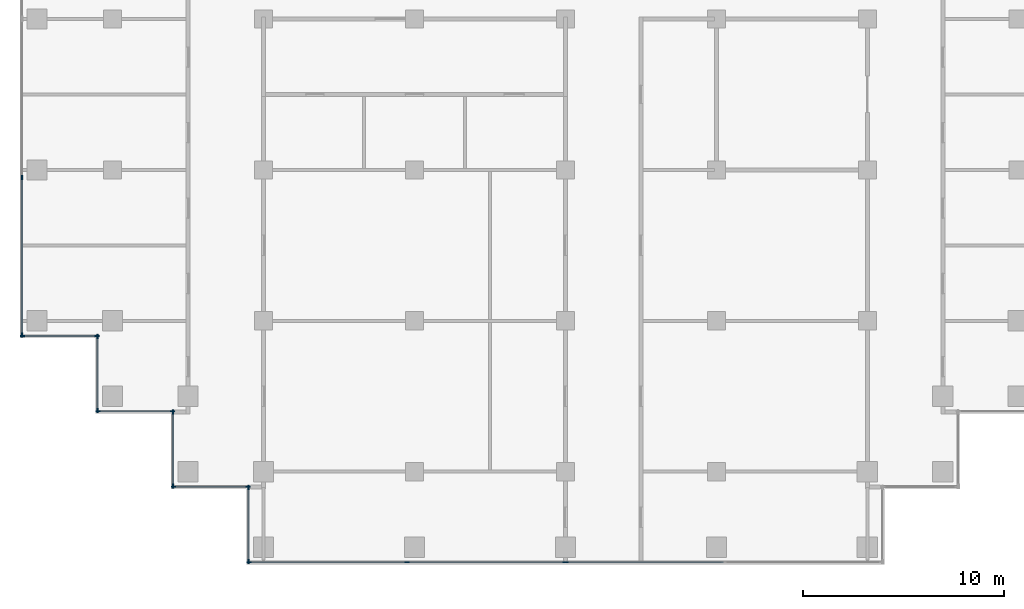
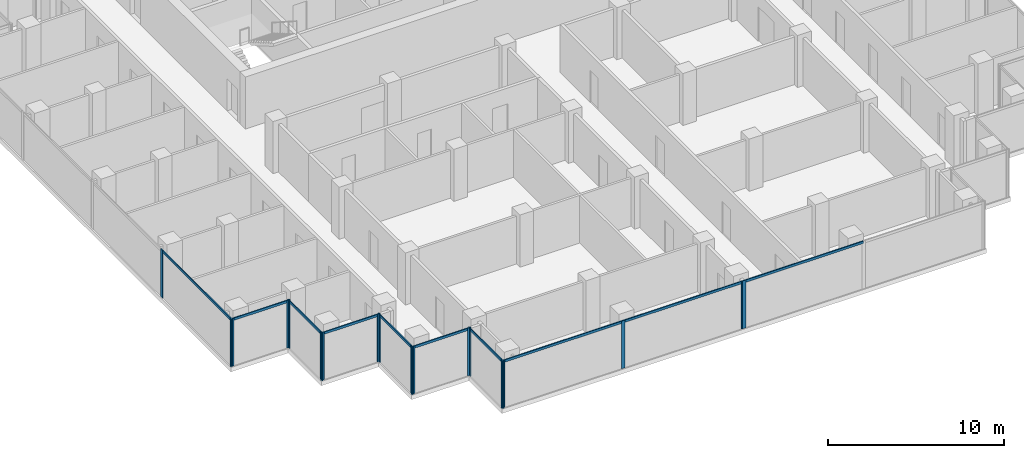
# One storey, part 2 of 12: 28 members, 9 elements without a shape of their own.
"""IFC4 building model written with IfcOpenShell, lengths in metres."""

from ifc_helpers import new_model, si_unit, direction, frame, origin, origin_2d, place, context, subcontext, project, spatial, rectangle, extrude, material, material_profile, profile_set, type_object, element, aggregate, save


model = new_model("IFC4")

# Units and contexts
model_context = context("Model", 3, precision=1e-05, world=origin(), true_north=direction((0.0, 1.0)))
body_context = subcontext(model_context, "Body", "Model", "MODEL_VIEW")
ifc_project = project(units=[si_unit("LENGTHUNIT", "METRE"), si_unit("AREAUNIT", "SQUARE_METRE"), si_unit("VOLUMEUNIT", "CUBIC_METRE"), si_unit("PLANEANGLEUNIT", "RADIAN"), si_unit("MASSUNIT", "GRAM", prefix="KILO")], contexts=[model_context])

# Site, building, storey
site_placement = place(None, origin())
site = spatial("IfcSite", under=ifc_project, at=site_placement, CompositionType="ELEMENT")
building_placement = place(site_placement, origin())
building = spatial("IfcBuilding", under=site, at=building_placement, Name="Pilkhan Gate Tower", CompositionType="ELEMENT")
storey_placement = place(building_placement, frame((0.0, 0.0, 188.699951171875)))
storey = spatial("IfcBuildingStorey", under=building, at=storey_placement, Name="L48", CompositionType="ELEMENT", Elevation=188.699951171875)

# Curtain wall, members
ifc_material_1 = material(Name="Pale anodised aluminium, clear low-iron double glazing", Category="aluminium")
curtain_wall_type = type_object("IfcCurtainWallType", Name="Office unitised curtain wall CW-O2", PredefinedType="USERDEFINED", material=ifc_material_1)
curtain_wall_1_placement = place(storey_placement, origin())
curtain_wall_1 = element("IfcCurtainWall", 1, at=curtain_wall_1_placement, inside=storey, type_object=curtain_wall_type, Name="Office unitised curtain wall CW-O2 L48 W", ObjectType="UNITISED CURTAIN WALL", PredefinedType="USERDEFINED")
ifc_material_2 = material(Name="Pale anodised aluminium", Category="aluminium")
ifc_material_profile_1 = material_profile(ifc_material_2, rectangle(XDim=0.06494140625, YDim=0.22509765625, at=origin_2d()), Name="Mullion 225x65")
ifc_profile_set_1 = profile_set([ifc_material_profile_1], Name="Pale anodised aluminium")
member_type_1 = type_object("IfcMemberType", Name="Mullion CW-O2 225x65", PredefinedType="MULLION", material=ifc_profile_set_1)
member_1_placement = place(storey_placement, frame((48.0, 51.782470703125, 0.0), z_axis=(0.0, 0.0, 1.0), x_axis=(-1.0, 0.0, 0.0)))
member_1 = element("IfcMember", 2, at=member_1_placement, type_object=member_type_1, Name="CW-O2 mullion 1", PredefinedType="MULLION", context=body_context, shape_type="SweptSolid", body=[
    extrude(rectangle(XDim=0.06494140625, YDim=0.22509765625, at=origin_2d()), origin(), (0.0, 0.0, 1.0), 3.300048828125),
])
member_2_placement = place(storey_placement, frame((48.0, 59.625, 0.0), z_axis=(0.0, 0.0, 1.0), x_axis=(-1.0, 0.0, 0.0)))
member_2 = element("IfcMember", 3, at=member_2_placement, type_object=member_type_1, Name="CW-O2 mullion 2", PredefinedType="MULLION", context=body_context, shape_type="SweptSolid", body=[
    extrude(rectangle(XDim=0.06494140625, YDim=0.22509765625, at=origin_2d()), origin(), (0.0, 0.0, 1.0), 3.300048828125),
])

curtain_wall_2_placement = place(storey_placement, origin())
curtain_wall_2 = element("IfcCurtainWall", 4, at=curtain_wall_2_placement, inside=storey, type_object=curtain_wall_type, Name="Office unitised curtain wall CW-O2 L48 S", ObjectType="UNITISED CURTAIN WALL", PredefinedType="USERDEFINED")
member_3_placement = place(storey_placement, frame((48.032470703125, 51.75, 0.0), z_axis=(0.0, 0.0, 1.0), x_axis=(0.0, 1.0, 0.0)))
member_3 = element("IfcMember", 5, at=member_3_placement, type_object=member_type_1, Name="CW-O2 mullion 1", PredefinedType="MULLION", context=body_context, shape_type="SweptSolid", body=[
    extrude(rectangle(XDim=0.06494140625, YDim=0.22509765625, at=origin_2d()), origin(), (0.0, 0.0, 1.0), 3.300048828125),
])
member_4_placement = place(storey_placement, frame((51.717529296875, 51.75, 0.0), z_axis=(0.0, 0.0, 1.0), x_axis=(0.0, 1.0, 0.0)))
member_4 = element("IfcMember", 6, at=member_4_placement, type_object=member_type_1, Name="CW-O2 mullion 2", PredefinedType="MULLION", context=body_context, shape_type="SweptSolid", body=[
    extrude(rectangle(XDim=0.06494140625, YDim=0.22509765625, at=origin_2d()), origin(), (0.0, 0.0, 1.0), 3.300048828125),
])

curtain_wall_3_placement = place(storey_placement, origin())
curtain_wall_3 = element("IfcCurtainWall", 7, at=curtain_wall_3_placement, inside=storey, type_object=curtain_wall_type, Name="Office unitised curtain wall CW-O2 L48 W", ObjectType="UNITISED CURTAIN WALL", PredefinedType="USERDEFINED")
member_5_placement = place(storey_placement, frame((51.75, 48.032470703125, 0.0), z_axis=(0.0, 0.0, 1.0), x_axis=(-1.0, 0.0, 0.0)))
member_5 = element("IfcMember", 8, at=member_5_placement, type_object=member_type_1, Name="CW-O2 mullion 1", PredefinedType="MULLION", context=body_context, shape_type="SweptSolid", body=[
    extrude(rectangle(XDim=0.06494140625, YDim=0.22509765625, at=origin_2d()), origin(), (0.0, 0.0, 1.0), 3.300048828125),
])
member_6_placement = place(storey_placement, frame((51.75, 51.717529296875, 0.0), z_axis=(0.0, 0.0, 1.0), x_axis=(-1.0, 0.0, 0.0)))
member_6 = element("IfcMember", 9, at=member_6_placement, type_object=member_type_1, Name="CW-O2 mullion 2", PredefinedType="MULLION", context=body_context, shape_type="SweptSolid", body=[
    extrude(rectangle(XDim=0.06494140625, YDim=0.22509765625, at=origin_2d()), origin(), (0.0, 0.0, 1.0), 3.300048828125),
])

curtain_wall_4_placement = place(storey_placement, origin())
curtain_wall_4 = element("IfcCurtainWall", 10, at=curtain_wall_4_placement, inside=storey, type_object=curtain_wall_type, Name="Office unitised curtain wall CW-O2 L48 S", ObjectType="UNITISED CURTAIN WALL", PredefinedType="USERDEFINED")
member_7_placement = place(storey_placement, frame((51.782470703125, 48.0, 0.0), z_axis=(0.0, 0.0, 1.0), x_axis=(0.0, 1.0, 0.0)))
member_7 = element("IfcMember", 11, at=member_7_placement, type_object=member_type_1, Name="CW-O2 mullion 1", PredefinedType="MULLION", context=body_context, shape_type="SweptSolid", body=[
    extrude(rectangle(XDim=0.06494140625, YDim=0.22509765625, at=origin_2d()), origin(), (0.0, 0.0, 1.0), 3.300048828125),
])
member_8_placement = place(storey_placement, frame((55.467529296875, 48.0, 0.0), z_axis=(0.0, 0.0, 1.0), x_axis=(0.0, 1.0, 0.0)))
member_8 = element("IfcMember", 12, at=member_8_placement, type_object=member_type_1, Name="CW-O2 mullion 2", PredefinedType="MULLION", context=body_context, shape_type="SweptSolid", body=[
    extrude(rectangle(XDim=0.06494140625, YDim=0.22509765625, at=origin_2d()), origin(), (0.0, 0.0, 1.0), 3.300048828125),
])

curtain_wall_5_placement = place(storey_placement, origin())
curtain_wall_5 = element("IfcCurtainWall", 13, at=curtain_wall_5_placement, inside=storey, type_object=curtain_wall_type, Name="Office unitised curtain wall CW-O2 L48 W", ObjectType="UNITISED CURTAIN WALL", PredefinedType="USERDEFINED")
member_9_placement = place(storey_placement, frame((55.5, 44.282470703125, 0.0), z_axis=(0.0, 0.0, 1.0), x_axis=(-1.0, 0.0, 0.0)))
member_9 = element("IfcMember", 14, at=member_9_placement, type_object=member_type_1, Name="CW-O2 mullion 1", PredefinedType="MULLION", context=body_context, shape_type="SweptSolid", body=[
    extrude(rectangle(XDim=0.06494140625, YDim=0.22509765625, at=origin_2d()), origin(), (0.0, 0.0, 1.0), 3.300048828125),
])
member_10_placement = place(storey_placement, frame((55.5, 47.967529296875, 0.0), z_axis=(0.0, 0.0, 1.0), x_axis=(-1.0, 0.0, 0.0)))
member_10 = element("IfcMember", 15, at=member_10_placement, type_object=member_type_1, Name="CW-O2 mullion 2", PredefinedType="MULLION", context=body_context, shape_type="SweptSolid", body=[
    extrude(rectangle(XDim=0.06494140625, YDim=0.22509765625, at=origin_2d()), origin(), (0.0, 0.0, 1.0), 3.300048828125),
])

curtain_wall_6_placement = place(storey_placement, origin())
curtain_wall_6 = element("IfcCurtainWall", 16, at=curtain_wall_6_placement, inside=storey, type_object=curtain_wall_type, Name="Office unitised curtain wall CW-O2 L48 S", ObjectType="UNITISED CURTAIN WALL", PredefinedType="USERDEFINED")
member_11_placement = place(storey_placement, frame((55.532470703125, 44.25, 0.0), z_axis=(0.0, 0.0, 1.0), x_axis=(0.0, 1.0, 0.0)))
member_11 = element("IfcMember", 17, at=member_11_placement, type_object=member_type_1, Name="CW-O2 mullion 1", PredefinedType="MULLION", context=body_context, shape_type="SweptSolid", body=[
    extrude(rectangle(XDim=0.06494140625, YDim=0.22509765625, at=origin_2d()), origin(), (0.0, 0.0, 1.0), 3.300048828125),
])
member_12_placement = place(storey_placement, frame((59.217529296875, 44.25, 0.0), z_axis=(0.0, 0.0, 1.0), x_axis=(0.0, 1.0, 0.0)))
member_12 = element("IfcMember", 18, at=member_12_placement, type_object=member_type_1, Name="CW-O2 mullion 2", PredefinedType="MULLION", context=body_context, shape_type="SweptSolid", body=[
    extrude(rectangle(XDim=0.06494140625, YDim=0.22509765625, at=origin_2d()), origin(), (0.0, 0.0, 1.0), 3.300048828125),
])

curtain_wall_7_placement = place(storey_placement, origin())
curtain_wall_7 = element("IfcCurtainWall", 19, at=curtain_wall_7_placement, inside=storey, type_object=curtain_wall_type, Name="Office unitised curtain wall CW-O2 L48 W", ObjectType="UNITISED CURTAIN WALL", PredefinedType="USERDEFINED")
member_13_placement = place(storey_placement, frame((59.25, 40.532470703125, 0.0), z_axis=(0.0, 0.0, 1.0), x_axis=(-1.0, 0.0, 0.0)))
member_13 = element("IfcMember", 20, at=member_13_placement, type_object=member_type_1, Name="CW-O2 mullion 1", PredefinedType="MULLION", context=body_context, shape_type="SweptSolid", body=[
    extrude(rectangle(XDim=0.06494140625, YDim=0.22509765625, at=origin_2d()), origin(), (0.0, 0.0, 1.0), 3.300048828125),
])
member_14_placement = place(storey_placement, frame((59.25, 44.217529296875, 0.0), z_axis=(0.0, 0.0, 1.0), x_axis=(-1.0, 0.0, 0.0)))
member_14 = element("IfcMember", 21, at=member_14_placement, type_object=member_type_1, Name="CW-O2 mullion 2", PredefinedType="MULLION", context=body_context, shape_type="SweptSolid", body=[
    extrude(rectangle(XDim=0.06494140625, YDim=0.22509765625, at=origin_2d()), origin(), (0.0, 0.0, 1.0), 3.300048828125),
])

curtain_wall_8_placement = place(storey_placement, origin())
curtain_wall_8 = element("IfcCurtainWall", 22, at=curtain_wall_8_placement, inside=storey, type_object=curtain_wall_type, Name="Office unitised curtain wall CW-O2 L48 S", ObjectType="UNITISED CURTAIN WALL", PredefinedType="USERDEFINED")
member_15_placement = place(storey_placement, frame((59.282470703125, 40.5, 0.0), z_axis=(0.0, 0.0, 1.0), x_axis=(0.0, 1.0, 0.0)))
member_15 = element("IfcMember", 23, at=member_15_placement, type_object=member_type_1, Name="CW-O2 mullion 1", PredefinedType="MULLION", context=body_context, shape_type="SweptSolid", body=[
    extrude(rectangle(XDim=0.06494140625, YDim=0.22509765625, at=origin_2d()), origin(), (0.0, 0.0, 1.0), 3.300048828125),
])
member_16_placement = place(storey_placement, frame((67.125, 40.5, 0.0), z_axis=(0.0, 0.0, 1.0), x_axis=(0.0, 1.0, 0.0)))
member_16 = element("IfcMember", 24, at=member_16_placement, type_object=member_type_1, Name="CW-O2 mullion 2", PredefinedType="MULLION", context=body_context, shape_type="SweptSolid", body=[
    extrude(rectangle(XDim=0.06494140625, YDim=0.22509765625, at=origin_2d()), origin(), (0.0, 0.0, 1.0), 3.300048828125),
])
member_17_placement = place(storey_placement, frame((74.967529296875, 40.5, 0.0), z_axis=(0.0, 0.0, 1.0), x_axis=(0.0, 1.0, 0.0)))
member_17 = element("IfcMember", 25, at=member_17_placement, type_object=member_type_1, Name="CW-O2 mullion 3", PredefinedType="MULLION", context=body_context, shape_type="SweptSolid", body=[
    extrude(rectangle(XDim=0.06494140625, YDim=0.22509765625, at=origin_2d()), origin(), (0.0, 0.0, 1.0), 3.300048828125),
])

# Curtain wall, member
curtain_wall_9_placement = place(storey_placement, origin())
curtain_wall_9 = element("IfcCurtainWall", 26, at=curtain_wall_9_placement, inside=storey, type_object=curtain_wall_type, Name="Office unitised curtain wall CW-O2 L48 S", ObjectType="UNITISED CURTAIN WALL", PredefinedType="USERDEFINED")
member_18_placement = place(storey_placement, frame((75.032470703125, 40.5, 0.0), z_axis=(0.0, 0.0, 1.0), x_axis=(0.0, 1.0, 0.0)))
member_18 = element("IfcMember", 27, at=member_18_placement, type_object=member_type_1, Name="CW-O2 mullion 1", PredefinedType="MULLION", context=body_context, shape_type="SweptSolid", body=[
    extrude(rectangle(XDim=0.06494140625, YDim=0.22509765625, at=origin_2d()), origin(), (0.0, 0.0, 1.0), 3.300048828125),
])

# Member
ifc_material_profile_2 = material_profile(ifc_material_2, rectangle(XDim=0.06494140625, YDim=0.1650390625, at=origin_2d()), Name="Transom 165x65")
ifc_profile_set_2 = profile_set([ifc_material_profile_2], Name="Pale anodised aluminium")
member_type_2 = type_object("IfcMemberType", Name="Transom CW-O2 165x65", PredefinedType="USERDEFINED", material=ifc_profile_set_2)
member_19_placement = place(storey_placement, frame((48.0, 51.81494140625, 3.217529296875), z_axis=(0.0, 1.0, 0.0), x_axis=(-1.0, 0.0, 0.0)))
member_19 = element("IfcMember", 28, at=member_19_placement, type_object=member_type_2, Name="CW-O2 transom 1", ObjectType="TRANSOM", PredefinedType="USERDEFINED", context=body_context, shape_type="SweptSolid", body=[
    extrude(rectangle(XDim=0.06494140625, YDim=0.1650390625, at=origin_2d()), origin(), (0.0, 0.0, 1.0), 7.777587890625),
])

aggregate(curtain_wall_1, [member_1, member_2, member_19])

member_20_placement = place(storey_placement, frame((48.06494140625, 51.75, 3.217529296875), z_axis=(1.0, 0.0, 0.0), x_axis=(0.0, 1.0, 0.0)))
member_20 = element("IfcMember", 29, at=member_20_placement, type_object=member_type_2, Name="CW-O2 transom 1", ObjectType="TRANSOM", PredefinedType="USERDEFINED", context=body_context, shape_type="SweptSolid", body=[
    extrude(rectangle(XDim=0.06494140625, YDim=0.1650390625, at=origin_2d()), origin(), (0.0, 0.0, 1.0), 3.6201171875),
])

aggregate(curtain_wall_2, [member_3, member_4, member_20])

member_21_placement = place(storey_placement, frame((51.75, 48.06494140625, 3.217529296875), z_axis=(0.0, 1.0, 0.0), x_axis=(-1.0, 0.0, 0.0)))
member_21 = element("IfcMember", 30, at=member_21_placement, type_object=member_type_2, Name="CW-O2 transom 1", ObjectType="TRANSOM", PredefinedType="USERDEFINED", context=body_context, shape_type="SweptSolid", body=[
    extrude(rectangle(XDim=0.06494140625, YDim=0.1650390625, at=origin_2d()), origin(), (0.0, 0.0, 1.0), 3.6201171875),
])

aggregate(curtain_wall_3, [member_5, member_6, member_21])

member_22_placement = place(storey_placement, frame((51.81494140625, 48.0, 3.217529296875), z_axis=(1.0, 0.0, 0.0), x_axis=(0.0, 1.0, 0.0)))
member_22 = element("IfcMember", 31, at=member_22_placement, type_object=member_type_2, Name="CW-O2 transom 1", ObjectType="TRANSOM", PredefinedType="USERDEFINED", context=body_context, shape_type="SweptSolid", body=[
    extrude(rectangle(XDim=0.06494140625, YDim=0.1650390625, at=origin_2d()), origin(), (0.0, 0.0, 1.0), 3.6201171875),
])

aggregate(curtain_wall_4, [member_7, member_8, member_22])

member_23_placement = place(storey_placement, frame((55.5, 44.31494140625, 3.217529296875), z_axis=(0.0, 1.0, 0.0), x_axis=(-1.0, 0.0, 0.0)))
member_23 = element("IfcMember", 32, at=member_23_placement, type_object=member_type_2, Name="CW-O2 transom 1", ObjectType="TRANSOM", PredefinedType="USERDEFINED", context=body_context, shape_type="SweptSolid", body=[
    extrude(rectangle(XDim=0.06494140625, YDim=0.1650390625, at=origin_2d()), origin(), (0.0, 0.0, 1.0), 3.6201171875),
])

aggregate(curtain_wall_5, [member_9, member_10, member_23])

member_24_placement = place(storey_placement, frame((55.56494140625, 44.25, 3.217529296875), z_axis=(1.0, 0.0, 0.0), x_axis=(0.0, 1.0, 0.0)))
member_24 = element("IfcMember", 33, at=member_24_placement, type_object=member_type_2, Name="CW-O2 transom 1", ObjectType="TRANSOM", PredefinedType="USERDEFINED", context=body_context, shape_type="SweptSolid", body=[
    extrude(rectangle(XDim=0.06494140625, YDim=0.1650390625, at=origin_2d()), origin(), (0.0, 0.0, 1.0), 3.6201171875),
])

aggregate(curtain_wall_6, [member_11, member_12, member_24])

member_25_placement = place(storey_placement, frame((59.25, 40.56494140625, 3.217529296875), z_axis=(0.0, 1.0, 0.0), x_axis=(-1.0, 0.0, 0.0)))
member_25 = element("IfcMember", 34, at=member_25_placement, type_object=member_type_2, Name="CW-O2 transom 1", ObjectType="TRANSOM", PredefinedType="USERDEFINED", context=body_context, shape_type="SweptSolid", body=[
    extrude(rectangle(XDim=0.06494140625, YDim=0.1650390625, at=origin_2d()), origin(), (0.0, 0.0, 1.0), 3.6201171875),
])

aggregate(curtain_wall_7, [member_13, member_14, member_25])

member_26_placement = place(storey_placement, frame((59.31494140625, 40.5, 3.217529296875), z_axis=(1.0, 0.0, 0.0), x_axis=(0.0, 1.0, 0.0)))
member_26 = element("IfcMember", 35, at=member_26_placement, type_object=member_type_2, Name="CW-O2 transom 1", ObjectType="TRANSOM", PredefinedType="USERDEFINED", context=body_context, shape_type="SweptSolid", body=[
    extrude(rectangle(XDim=0.06494140625, YDim=0.1650390625, at=origin_2d()), origin(), (0.0, 0.0, 1.0), 7.777587890625),
])

member_27_placement = place(storey_placement, frame((67.157470703125, 40.5, 3.217529296875), z_axis=(1.0, 0.0, 0.0), x_axis=(0.0, 1.0, 0.0)))
member_27 = element("IfcMember", 36, at=member_27_placement, type_object=member_type_2, Name="CW-O2 transom 2", ObjectType="TRANSOM", PredefinedType="USERDEFINED", context=body_context, shape_type="SweptSolid", body=[
    extrude(rectangle(XDim=0.06494140625, YDim=0.1650390625, at=origin_2d()), origin(), (0.0, 0.0, 1.0), 7.777587890625),
])

aggregate(curtain_wall_8, [member_15, member_16, member_17, member_26, member_27])

member_28_placement = place(storey_placement, frame((75.06494140625, 40.5, 3.217529296875), z_axis=(1.0, 0.0, 0.0), x_axis=(0.0, 1.0, 0.0)))
member_28 = element("IfcMember", 37, at=member_28_placement, type_object=member_type_2, Name="CW-O2 transom 1", ObjectType="TRANSOM", PredefinedType="USERDEFINED", context=body_context, shape_type="SweptSolid", body=[
    extrude(rectangle(XDim=0.06494140625, YDim=0.1650390625, at=origin_2d()), origin(), (0.0, 0.0, 1.0), 7.777587890625),
])

aggregate(curtain_wall_9, [member_18, member_28])

save(model, "model.ifc")
